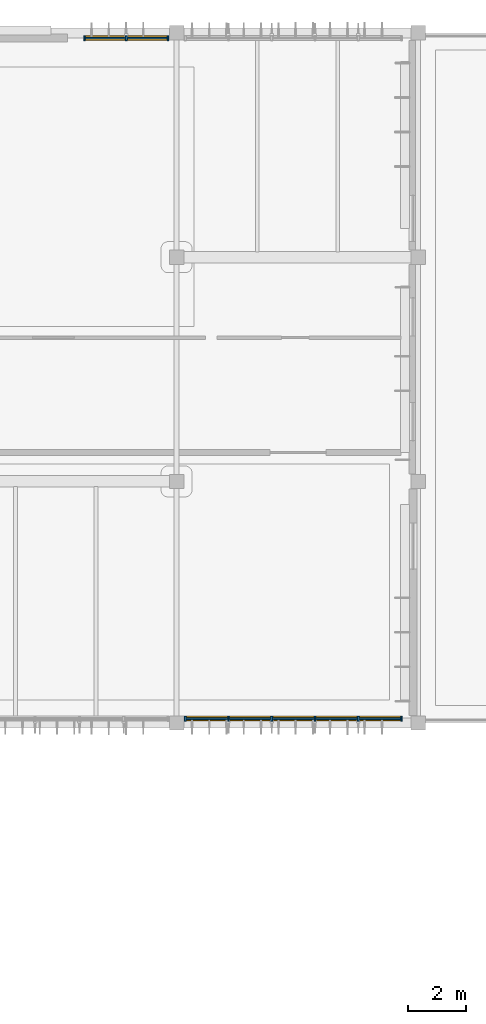
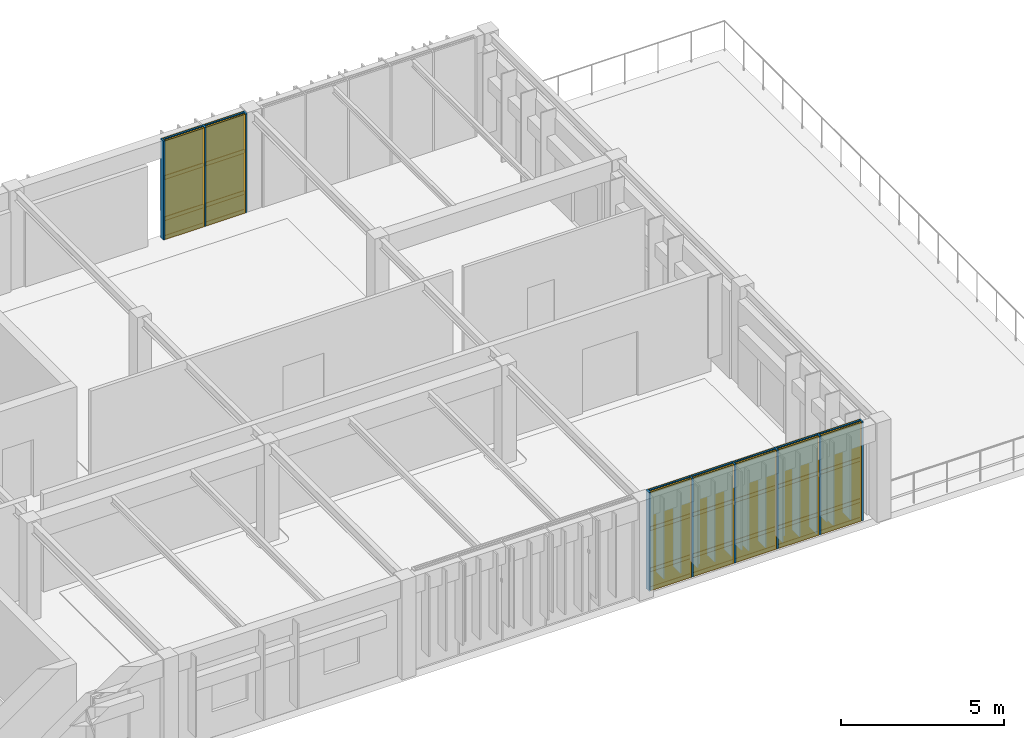
# One storey, part 36 of 44: 37 members, 21 plates, 2 curtain walls.
"""IFC4 building model written with IfcOpenShell, lengths in metres."""

from ifc_helpers import new_model, si_unit, direction, frame, frame_2d, origin, origin_2d, place, context, subcontext, project, spatial, rectangle, extrude, material, layer, layer_set, material_profile, profile_set, type_object, element, aggregate, save


model = new_model("IFC4")

# Units and contexts
model_context = context("Model", 3, precision=1e-05, world=origin(), true_north=direction((0.0, 1.0)))
body_context = subcontext(model_context, "Body", "Model", "MODEL_VIEW")
ifc_project = project(units=[si_unit("LENGTHUNIT", "METRE"), si_unit("AREAUNIT", "SQUARE_METRE"), si_unit("VOLUMEUNIT", "CUBIC_METRE"), si_unit("PLANEANGLEUNIT", "RADIAN"), si_unit("MASSUNIT", "GRAM", prefix="KILO")], contexts=[model_context])

# Member
ifc_material_1 = material(Name="Anodised Bronze Aluminium 6063-T6", Category="aluminium")
ifc_material_profile_1 = material_profile(ifc_material_1, rectangle(XDim=0.06005859375, YDim=0.179931640625, at=origin_2d()), Name="ALU MULLION 60x180")
ifc_profile_set_1 = profile_set([ifc_material_profile_1], Name="Anodised Bronze Aluminium 6063-T6")
member_type_1 = type_object("IfcMemberType", Name="Curtain-Wall Primary Mullion 60x180", PredefinedType="MULLION", material=ifc_profile_set_1)
site_placement = place(None, origin())
building_placement = place(site_placement, origin())
storey_placement = place(building_placement, frame((0.0, 0.0, 13.199951171875)))
member_1_placement = place(storey_placement, frame((130.60009765625, 111.6201171875, 0.0), z_axis=(0.0, 0.0, 1.0), x_axis=(1.0, 0.0, 0.0)))
member_1 = element("IfcMember", 1, at=member_1_placement, type_object=member_type_1, Name="Mullion CWM-01 CW-V3-N3-L03-B1-M01", PredefinedType="MULLION", context=body_context, shape_type="SweptSolid", body=[
    extrude(rectangle(XDim=0.06005859375, YDim=0.179931640625, at=origin_2d()), origin(), (0.0, 0.0, 1.0), 3.699951171875),
])

member_2_placement = place(storey_placement, frame((132.050048828125, 111.6201171875, 0.0), z_axis=(0.0, 0.0, 1.0), x_axis=(1.0, 0.0, 0.0)))
member_2 = element("IfcMember", 2, at=member_2_placement, type_object=member_type_1, Name="Mullion CWM-01 CW-V3-N3-L03-B1-M02", PredefinedType="MULLION", context=body_context, shape_type="SweptSolid", body=[
    extrude(rectangle(XDim=0.06005859375, YDim=0.179931640625, at=origin_2d()), origin(), (0.0, 0.0, 1.0), 3.699951171875),
])

member_3_placement = place(storey_placement, frame((133.5, 111.6201171875, 0.0), z_axis=(0.0, 0.0, 1.0), x_axis=(1.0, 0.0, 0.0)))
member_3 = element("IfcMember", 3, at=member_3_placement, type_object=member_type_1, Name="Mullion CWM-01 CW-V3-N3-L03-B1-M03", PredefinedType="MULLION", context=body_context, shape_type="SweptSolid", body=[
    extrude(rectangle(XDim=0.06005859375, YDim=0.179931640625, at=origin_2d()), origin(), (0.0, 0.0, 1.0), 3.699951171875),
])

member_4_placement = place(storey_placement, frame((134.10009765625, 87.949951171875, 0.0), z_axis=(0.0, 0.0, 1.0), x_axis=(1.0, 0.0, 0.0)))
member_4 = element("IfcMember", 4, at=member_4_placement, type_object=member_type_1, Name="Mullion CWM-01 CW-V3-S2-L03-B2-M01", PredefinedType="MULLION", context=body_context, shape_type="SweptSolid", body=[
    extrude(rectangle(XDim=0.06005859375, YDim=0.179931640625, at=origin_2d()), origin(), (0.0, 0.0, 1.0), 3.699951171875),
])

member_5_placement = place(storey_placement, frame((135.60400390625, 87.949951171875, 0.0), z_axis=(0.0, 0.0, 1.0), x_axis=(1.0, 0.0, 0.0)))
member_5 = element("IfcMember", 5, at=member_5_placement, type_object=member_type_1, Name="Mullion CWM-01 CW-V3-S2-L03-B2-M02", PredefinedType="MULLION", context=body_context, shape_type="SweptSolid", body=[
    extrude(rectangle(XDim=0.06005859375, YDim=0.179931640625, at=origin_2d()), origin(), (0.0, 0.0, 1.0), 3.699951171875),
])

member_6_placement = place(storey_placement, frame((137.10791015625, 87.949951171875, 0.0), z_axis=(0.0, 0.0, 1.0), x_axis=(1.0, 0.0, 0.0)))
member_6 = element("IfcMember", 6, at=member_6_placement, type_object=member_type_1, Name="Mullion CWM-01 CW-V3-S2-L03-B2-M03", PredefinedType="MULLION", context=body_context, shape_type="SweptSolid", body=[
    extrude(rectangle(XDim=0.06005859375, YDim=0.179931640625, at=origin_2d()), origin(), (0.0, 0.0, 1.0), 3.699951171875),
])

member_7_placement = place(storey_placement, frame((138.612060546875, 87.949951171875, 0.0), z_axis=(0.0, 0.0, 1.0), x_axis=(1.0, 0.0, 0.0)))
member_7 = element("IfcMember", 7, at=member_7_placement, type_object=member_type_1, Name="Mullion CWM-01 CW-V3-S2-L03-B2-M04", PredefinedType="MULLION", context=body_context, shape_type="SweptSolid", body=[
    extrude(rectangle(XDim=0.06005859375, YDim=0.179931640625, at=origin_2d()), origin(), (0.0, 0.0, 1.0), 3.699951171875),
])

member_8_placement = place(storey_placement, frame((140.115966796875, 87.949951171875, 0.0), z_axis=(0.0, 0.0, 1.0), x_axis=(1.0, 0.0, 0.0)))
member_8 = element("IfcMember", 8, at=member_8_placement, type_object=member_type_1, Name="Mullion CWM-01 CW-V3-S2-L03-B2-M05", PredefinedType="MULLION", context=body_context, shape_type="SweptSolid", body=[
    extrude(rectangle(XDim=0.06005859375, YDim=0.179931640625, at=origin_2d()), origin(), (0.0, 0.0, 1.0), 3.699951171875),
])

member_9_placement = place(storey_placement, frame((141.6201171875, 87.949951171875, 0.0), z_axis=(0.0, 0.0, 1.0), x_axis=(1.0, 0.0, 0.0)))
member_9 = element("IfcMember", 9, at=member_9_placement, type_object=member_type_1, Name="Mullion CWM-01 CW-V3-S2-L03-B2-M06", PredefinedType="MULLION", context=body_context, shape_type="SweptSolid", body=[
    extrude(rectangle(XDim=0.06005859375, YDim=0.179931640625, at=origin_2d()), origin(), (0.0, 0.0, 1.0), 3.699951171875),
])

ifc_material_profile_2 = material_profile(ifc_material_1, rectangle(XDim=0.06005859375, YDim=0.139892578125, at=origin_2d()), Name="ALU TRANSOM 60x140")
ifc_profile_set_2 = profile_set([ifc_material_profile_2], Name="Anodised Bronze Aluminium 6063-T6")
member_type_2 = type_object("IfcMemberType", Name="Curtain-Wall Transom 60x140", PredefinedType="USERDEFINED", material=ifc_profile_set_2)
member_10_placement = place(storey_placement, frame((130.635009765625, 111.6201171875, 0.0400390625), z_axis=(1.0, 0.0, 0.0), x_axis=(0.0, 1.0, 0.0)))
member_10 = element("IfcMember", 10, at=member_10_placement, type_object=member_type_2, Name="Transom CWT-01 CW-V3-N3-L03-B1-T01.1", ObjectType="TRANSOM", PredefinedType="USERDEFINED", context=body_context, shape_type="SweptSolid", body=[
    extrude(rectangle(XDim=0.06005859375, YDim=0.139892578125, at=origin_2d()), origin(), (0.0, 0.0, 1.0), 1.3798828125),
])

member_11_placement = place(storey_placement, frame((130.635009765625, 111.6201171875, 0.739990234375), z_axis=(1.0, 0.0, 0.0), x_axis=(0.0, 1.0, 0.0)))
member_11 = element("IfcMember", 11, at=member_11_placement, type_object=member_type_2, Name="Transom CWT-01 CW-V3-N3-L03-B1-T01.2", ObjectType="TRANSOM", PredefinedType="USERDEFINED", context=body_context, shape_type="SweptSolid", body=[
    extrude(rectangle(XDim=0.06005859375, YDim=0.139892578125, at=origin_2d()), origin(), (0.0, 0.0, 1.0), 1.3798828125),
])

member_12_placement = place(storey_placement, frame((130.635009765625, 111.6201171875, 2.279296875), z_axis=(1.0, 0.0, 0.0), x_axis=(0.0, 1.0, 0.0)))
member_12 = element("IfcMember", 12, at=member_12_placement, type_object=member_type_2, Name="Transom CWT-01 CW-V3-N3-L03-B1-T01.3", ObjectType="TRANSOM", PredefinedType="USERDEFINED", context=body_context, shape_type="SweptSolid", body=[
    extrude(rectangle(XDim=0.06005859375, YDim=0.139892578125, at=origin_2d()), origin(), (0.0, 0.0, 1.0), 1.3798828125),
])

member_13_placement = place(storey_placement, frame((130.635009765625, 111.6201171875, 3.66015625), z_axis=(1.0, 0.0, 0.0), x_axis=(0.0, 1.0, 0.0)))
member_13 = element("IfcMember", 13, at=member_13_placement, type_object=member_type_2, Name="Transom CWT-01 CW-V3-N3-L03-B1-T01.4", ObjectType="TRANSOM", PredefinedType="USERDEFINED", context=body_context, shape_type="SweptSolid", body=[
    extrude(rectangle(XDim=0.06005859375, YDim=0.139892578125, at=origin_2d()), origin(), (0.0, 0.0, 1.0), 1.3798828125),
])

member_14_placement = place(storey_placement, frame((132.0849609375, 111.6201171875, 0.0400390625), z_axis=(1.0, 0.0, 0.0), x_axis=(0.0, 1.0, 0.0)))
member_14 = element("IfcMember", 14, at=member_14_placement, type_object=member_type_2, Name="Transom CWT-01 CW-V3-N3-L03-B1-T02.1", ObjectType="TRANSOM", PredefinedType="USERDEFINED", context=body_context, shape_type="SweptSolid", body=[
    extrude(rectangle(XDim=0.06005859375, YDim=0.139892578125, at=origin_2d()), origin(), (0.0, 0.0, 1.0), 1.380126953125),
])

member_15_placement = place(storey_placement, frame((132.0849609375, 111.6201171875, 0.739990234375), z_axis=(1.0, 0.0, 0.0), x_axis=(0.0, 1.0, 0.0)))
member_15 = element("IfcMember", 15, at=member_15_placement, type_object=member_type_2, Name="Transom CWT-01 CW-V3-N3-L03-B1-T02.2", ObjectType="TRANSOM", PredefinedType="USERDEFINED", context=body_context, shape_type="SweptSolid", body=[
    extrude(rectangle(XDim=0.06005859375, YDim=0.139892578125, at=origin_2d()), origin(), (0.0, 0.0, 1.0), 1.380126953125),
])

member_16_placement = place(storey_placement, frame((132.0849609375, 111.6201171875, 2.279296875), z_axis=(1.0, 0.0, 0.0), x_axis=(0.0, 1.0, 0.0)))
member_16 = element("IfcMember", 16, at=member_16_placement, type_object=member_type_2, Name="Transom CWT-01 CW-V3-N3-L03-B1-T02.3", ObjectType="TRANSOM", PredefinedType="USERDEFINED", context=body_context, shape_type="SweptSolid", body=[
    extrude(rectangle(XDim=0.06005859375, YDim=0.139892578125, at=origin_2d()), origin(), (0.0, 0.0, 1.0), 1.380126953125),
])

member_17_placement = place(storey_placement, frame((132.0849609375, 111.6201171875, 3.66015625), z_axis=(1.0, 0.0, 0.0), x_axis=(0.0, 1.0, 0.0)))
member_17 = element("IfcMember", 17, at=member_17_placement, type_object=member_type_2, Name="Transom CWT-01 CW-V3-N3-L03-B1-T02.4", ObjectType="TRANSOM", PredefinedType="USERDEFINED", context=body_context, shape_type="SweptSolid", body=[
    extrude(rectangle(XDim=0.06005859375, YDim=0.139892578125, at=origin_2d()), origin(), (0.0, 0.0, 1.0), 1.380126953125),
])

member_18_placement = place(storey_placement, frame((134.135009765625, 87.949951171875, 0.0400390625), z_axis=(1.0, 0.0, 0.0), x_axis=(0.0, 1.0, 0.0)))
member_18 = element("IfcMember", 18, at=member_18_placement, type_object=member_type_2, Name="Transom CWT-01 CW-V3-S2-L03-B2-T01.1", ObjectType="TRANSOM", PredefinedType="USERDEFINED", context=body_context, shape_type="SweptSolid", body=[
    extrude(rectangle(XDim=0.06005859375, YDim=0.139892578125, at=origin_2d()), origin(), (0.0, 0.0, 1.0), 1.43408203125),
])

member_19_placement = place(storey_placement, frame((134.135009765625, 87.949951171875, 0.739990234375), z_axis=(1.0, 0.0, 0.0), x_axis=(0.0, 1.0, 0.0)))
member_19 = element("IfcMember", 19, at=member_19_placement, type_object=member_type_2, Name="Transom CWT-01 CW-V3-S2-L03-B2-T01.2", ObjectType="TRANSOM", PredefinedType="USERDEFINED", context=body_context, shape_type="SweptSolid", body=[
    extrude(rectangle(XDim=0.06005859375, YDim=0.139892578125, at=origin_2d()), origin(), (0.0, 0.0, 1.0), 1.43408203125),
])

member_20_placement = place(storey_placement, frame((134.135009765625, 87.949951171875, 2.279296875), z_axis=(1.0, 0.0, 0.0), x_axis=(0.0, 1.0, 0.0)))
member_20 = element("IfcMember", 20, at=member_20_placement, type_object=member_type_2, Name="Transom CWT-01 CW-V3-S2-L03-B2-T01.3", ObjectType="TRANSOM", PredefinedType="USERDEFINED", context=body_context, shape_type="SweptSolid", body=[
    extrude(rectangle(XDim=0.06005859375, YDim=0.139892578125, at=origin_2d()), origin(), (0.0, 0.0, 1.0), 1.43408203125),
])

member_21_placement = place(storey_placement, frame((134.135009765625, 87.949951171875, 3.66015625), z_axis=(1.0, 0.0, 0.0), x_axis=(0.0, 1.0, 0.0)))
member_21 = element("IfcMember", 21, at=member_21_placement, type_object=member_type_2, Name="Transom CWT-01 CW-V3-S2-L03-B2-T01.4", ObjectType="TRANSOM", PredefinedType="USERDEFINED", context=body_context, shape_type="SweptSolid", body=[
    extrude(rectangle(XDim=0.06005859375, YDim=0.139892578125, at=origin_2d()), origin(), (0.0, 0.0, 1.0), 1.43408203125),
])

member_22_placement = place(storey_placement, frame((135.638916015625, 87.949951171875, 0.0400390625), z_axis=(1.0, 0.0, 0.0), x_axis=(0.0, 1.0, 0.0)))
member_22 = element("IfcMember", 22, at=member_22_placement, type_object=member_type_2, Name="Transom CWT-01 CW-V3-S2-L03-B2-T02.1", ObjectType="TRANSOM", PredefinedType="USERDEFINED", context=body_context, shape_type="SweptSolid", body=[
    extrude(rectangle(XDim=0.06005859375, YDim=0.139892578125, at=origin_2d()), origin(), (0.0, 0.0, 1.0), 1.43408203125),
])

member_23_placement = place(storey_placement, frame((135.638916015625, 87.949951171875, 0.739990234375), z_axis=(1.0, 0.0, 0.0), x_axis=(0.0, 1.0, 0.0)))
member_23 = element("IfcMember", 23, at=member_23_placement, type_object=member_type_2, Name="Transom CWT-01 CW-V3-S2-L03-B2-T02.2", ObjectType="TRANSOM", PredefinedType="USERDEFINED", context=body_context, shape_type="SweptSolid", body=[
    extrude(rectangle(XDim=0.06005859375, YDim=0.139892578125, at=origin_2d()), origin(), (0.0, 0.0, 1.0), 1.43408203125),
])

member_24_placement = place(storey_placement, frame((135.638916015625, 87.949951171875, 2.279296875), z_axis=(1.0, 0.0, 0.0), x_axis=(0.0, 1.0, 0.0)))
member_24 = element("IfcMember", 24, at=member_24_placement, type_object=member_type_2, Name="Transom CWT-01 CW-V3-S2-L03-B2-T02.3", ObjectType="TRANSOM", PredefinedType="USERDEFINED", context=body_context, shape_type="SweptSolid", body=[
    extrude(rectangle(XDim=0.06005859375, YDim=0.139892578125, at=origin_2d()), origin(), (0.0, 0.0, 1.0), 1.43408203125),
])

member_25_placement = place(storey_placement, frame((135.638916015625, 87.949951171875, 3.66015625), z_axis=(1.0, 0.0, 0.0), x_axis=(0.0, 1.0, 0.0)))
member_25 = element("IfcMember", 25, at=member_25_placement, type_object=member_type_2, Name="Transom CWT-01 CW-V3-S2-L03-B2-T02.4", ObjectType="TRANSOM", PredefinedType="USERDEFINED", context=body_context, shape_type="SweptSolid", body=[
    extrude(rectangle(XDim=0.06005859375, YDim=0.139892578125, at=origin_2d()), origin(), (0.0, 0.0, 1.0), 1.43408203125),
])

member_26_placement = place(storey_placement, frame((137.14306640625, 87.949951171875, 0.0400390625), z_axis=(1.0, 0.0, 0.0), x_axis=(0.0, 1.0, 0.0)))
member_26 = element("IfcMember", 26, at=member_26_placement, type_object=member_type_2, Name="Transom CWT-01 CW-V3-S2-L03-B2-T03.1", ObjectType="TRANSOM", PredefinedType="USERDEFINED", context=body_context, shape_type="SweptSolid", body=[
    extrude(rectangle(XDim=0.06005859375, YDim=0.139892578125, at=origin_2d()), origin(), (0.0, 0.0, 1.0), 1.433837890625),
])

member_27_placement = place(storey_placement, frame((137.14306640625, 87.949951171875, 0.739990234375), z_axis=(1.0, 0.0, 0.0), x_axis=(0.0, 1.0, 0.0)))
member_27 = element("IfcMember", 27, at=member_27_placement, type_object=member_type_2, Name="Transom CWT-01 CW-V3-S2-L03-B2-T03.2", ObjectType="TRANSOM", PredefinedType="USERDEFINED", context=body_context, shape_type="SweptSolid", body=[
    extrude(rectangle(XDim=0.06005859375, YDim=0.139892578125, at=origin_2d()), origin(), (0.0, 0.0, 1.0), 1.433837890625),
])

member_28_placement = place(storey_placement, frame((137.14306640625, 87.949951171875, 2.279296875), z_axis=(1.0, 0.0, 0.0), x_axis=(0.0, 1.0, 0.0)))
member_28 = element("IfcMember", 28, at=member_28_placement, type_object=member_type_2, Name="Transom CWT-01 CW-V3-S2-L03-B2-T03.3", ObjectType="TRANSOM", PredefinedType="USERDEFINED", context=body_context, shape_type="SweptSolid", body=[
    extrude(rectangle(XDim=0.06005859375, YDim=0.139892578125, at=origin_2d()), origin(), (0.0, 0.0, 1.0), 1.433837890625),
])

member_29_placement = place(storey_placement, frame((137.14306640625, 87.949951171875, 3.66015625), z_axis=(1.0, 0.0, 0.0), x_axis=(0.0, 1.0, 0.0)))
member_29 = element("IfcMember", 29, at=member_29_placement, type_object=member_type_2, Name="Transom CWT-01 CW-V3-S2-L03-B2-T03.4", ObjectType="TRANSOM", PredefinedType="USERDEFINED", context=body_context, shape_type="SweptSolid", body=[
    extrude(rectangle(XDim=0.06005859375, YDim=0.139892578125, at=origin_2d()), origin(), (0.0, 0.0, 1.0), 1.433837890625),
])

member_30_placement = place(storey_placement, frame((138.64697265625, 87.949951171875, 0.0400390625), z_axis=(1.0, 0.0, 0.0), x_axis=(0.0, 1.0, 0.0)))
member_30 = element("IfcMember", 30, at=member_30_placement, type_object=member_type_2, Name="Transom CWT-01 CW-V3-S2-L03-B2-T04.1", ObjectType="TRANSOM", PredefinedType="USERDEFINED", context=body_context, shape_type="SweptSolid", body=[
    extrude(rectangle(XDim=0.06005859375, YDim=0.139892578125, at=origin_2d()), origin(), (0.0, 0.0, 1.0), 1.43408203125),
])

member_31_placement = place(storey_placement, frame((138.64697265625, 87.949951171875, 0.739990234375), z_axis=(1.0, 0.0, 0.0), x_axis=(0.0, 1.0, 0.0)))
member_31 = element("IfcMember", 31, at=member_31_placement, type_object=member_type_2, Name="Transom CWT-01 CW-V3-S2-L03-B2-T04.2", ObjectType="TRANSOM", PredefinedType="USERDEFINED", context=body_context, shape_type="SweptSolid", body=[
    extrude(rectangle(XDim=0.06005859375, YDim=0.139892578125, at=origin_2d()), origin(), (0.0, 0.0, 1.0), 1.43408203125),
])

member_32_placement = place(storey_placement, frame((138.64697265625, 87.949951171875, 2.279296875), z_axis=(1.0, 0.0, 0.0), x_axis=(0.0, 1.0, 0.0)))
member_32 = element("IfcMember", 32, at=member_32_placement, type_object=member_type_2, Name="Transom CWT-01 CW-V3-S2-L03-B2-T04.3", ObjectType="TRANSOM", PredefinedType="USERDEFINED", context=body_context, shape_type="SweptSolid", body=[
    extrude(rectangle(XDim=0.06005859375, YDim=0.139892578125, at=origin_2d()), origin(), (0.0, 0.0, 1.0), 1.43408203125),
])

member_33_placement = place(storey_placement, frame((138.64697265625, 87.949951171875, 3.66015625), z_axis=(1.0, 0.0, 0.0), x_axis=(0.0, 1.0, 0.0)))
member_33 = element("IfcMember", 33, at=member_33_placement, type_object=member_type_2, Name="Transom CWT-01 CW-V3-S2-L03-B2-T04.4", ObjectType="TRANSOM", PredefinedType="USERDEFINED", context=body_context, shape_type="SweptSolid", body=[
    extrude(rectangle(XDim=0.06005859375, YDim=0.139892578125, at=origin_2d()), origin(), (0.0, 0.0, 1.0), 1.43408203125),
])

member_34_placement = place(storey_placement, frame((140.15087890625, 87.949951171875, 0.0400390625), z_axis=(1.0, 0.0, 0.0), x_axis=(0.0, 1.0, 0.0)))
member_34 = element("IfcMember", 34, at=member_34_placement, type_object=member_type_2, Name="Transom CWT-01 CW-V3-S2-L03-B2-T05.1", ObjectType="TRANSOM", PredefinedType="USERDEFINED", context=body_context, shape_type="SweptSolid", body=[
    extrude(rectangle(XDim=0.06005859375, YDim=0.139892578125, at=origin_2d()), origin(), (0.0, 0.0, 1.0), 1.43408203125),
])

member_35_placement = place(storey_placement, frame((140.15087890625, 87.949951171875, 0.739990234375), z_axis=(1.0, 0.0, 0.0), x_axis=(0.0, 1.0, 0.0)))
member_35 = element("IfcMember", 35, at=member_35_placement, type_object=member_type_2, Name="Transom CWT-01 CW-V3-S2-L03-B2-T05.2", ObjectType="TRANSOM", PredefinedType="USERDEFINED", context=body_context, shape_type="SweptSolid", body=[
    extrude(rectangle(XDim=0.06005859375, YDim=0.139892578125, at=origin_2d()), origin(), (0.0, 0.0, 1.0), 1.43408203125),
])

member_36_placement = place(storey_placement, frame((140.15087890625, 87.949951171875, 2.279296875), z_axis=(1.0, 0.0, 0.0), x_axis=(0.0, 1.0, 0.0)))
member_36 = element("IfcMember", 36, at=member_36_placement, type_object=member_type_2, Name="Transom CWT-01 CW-V3-S2-L03-B2-T05.3", ObjectType="TRANSOM", PredefinedType="USERDEFINED", context=body_context, shape_type="SweptSolid", body=[
    extrude(rectangle(XDim=0.06005859375, YDim=0.139892578125, at=origin_2d()), origin(), (0.0, 0.0, 1.0), 1.43408203125),
])

member_37_placement = place(storey_placement, frame((140.15087890625, 87.949951171875, 3.66015625), z_axis=(1.0, 0.0, 0.0), x_axis=(0.0, 1.0, 0.0)))
member_37 = element("IfcMember", 37, at=member_37_placement, type_object=member_type_2, Name="Transom CWT-01 CW-V3-S2-L03-B2-T05.4", ObjectType="TRANSOM", PredefinedType="USERDEFINED", context=body_context, shape_type="SweptSolid", body=[
    extrude(rectangle(XDim=0.06005859375, YDim=0.139892578125, at=origin_2d()), origin(), (0.0, 0.0, 1.0), 1.43408203125),
])

# Plate
ifc_material_2 = material(Name="Insulated Bronze Aluminium Spandrel Panel", Category="aluminium")
ifc_layer_1 = layer(ifc_material_2, 0.050048828125, Name="Insulated Bronze Aluminium Spandrel Panel")
ifc_layer_set_1 = layer_set([ifc_layer_1], Name="Insulated Bronze Aluminium Spandrel Panel")
plate_type_1 = type_object("IfcPlateType", Name="Insulated Anodised Aluminium Spandrel Cassette 50", PredefinedType="CURTAIN_PANEL", material=ifc_layer_set_1)
plate_1_placement = place(storey_placement, frame((131.324951171875, 111.6201171875, 0.0703125), z_axis=(0.0, 0.0, 1.0), x_axis=(1.0, 0.0, 0.0)))
plate_1 = element("IfcPlate", 38, at=plate_1_placement, type_object=plate_type_1, Name="Curtain Panel CWP-03 CW-V3-N3-L03-B1-P01.1", PredefinedType="CURTAIN_PANEL", context=body_context, shape_type="SweptSolid", body=[
    extrude(rectangle(XDim=1.3798828125, YDim=0.050048828125, at=origin_2d()), origin(), (0.0, 0.0, 1.0), 0.639892578125),
])

plate_2_placement = place(storey_placement, frame((132.77490234375, 111.6201171875, 0.0703125), z_axis=(0.0, 0.0, 1.0), x_axis=(1.0, 0.0, 0.0)))
plate_2 = element("IfcPlate", 39, at=plate_2_placement, type_object=plate_type_1, Name="Curtain Panel CWP-03 CW-V3-N3-L03-B1-P02.1", PredefinedType="CURTAIN_PANEL", context=body_context, shape_type="SweptSolid", body=[
    extrude(rectangle(XDim=1.3798828125, YDim=0.050048828125, at=origin_2d()), origin(), (0.0, 0.0, 1.0), 0.639892578125),
])

plate_3_placement = place(storey_placement, frame((134.85205078125, 87.949951171875, 0.0703125), z_axis=(0.0, 0.0, 1.0), x_axis=(1.0, 0.0, 0.0)))
plate_3 = element("IfcPlate", 40, at=plate_3_placement, type_object=plate_type_1, Name="Curtain Panel CWP-03 CW-V3-S2-L03-B2-P01.1", PredefinedType="CURTAIN_PANEL", context=body_context, shape_type="SweptSolid", body=[
    extrude(rectangle(XDim=1.43408203125, YDim=0.050048828125, at=origin_2d()), origin(), (0.0, 0.0, 1.0), 0.639892578125),
])

plate_4_placement = place(storey_placement, frame((136.35595703125, 87.949951171875, 0.0703125), z_axis=(0.0, 0.0, 1.0), x_axis=(1.0, 0.0, 0.0)))
plate_4 = element("IfcPlate", 41, at=plate_4_placement, type_object=plate_type_1, Name="Curtain Panel CWP-03 CW-V3-S2-L03-B2-P02.1", PredefinedType="CURTAIN_PANEL", context=body_context, shape_type="SweptSolid", body=[
    extrude(rectangle(XDim=1.43408203125, YDim=0.050048828125, at=origin_2d()), origin(), (0.0, 0.0, 1.0), 0.639892578125),
])

plate_5_placement = place(storey_placement, frame((137.860107421875, 87.949951171875, 0.0703125), z_axis=(0.0, 0.0, 1.0), x_axis=(1.0, 0.0, 0.0)))
plate_5 = element("IfcPlate", 42, at=plate_5_placement, type_object=plate_type_1, Name="Curtain Panel CWP-03 CW-V3-S2-L03-B2-P03.1", PredefinedType="CURTAIN_PANEL", context=body_context, shape_type="SweptSolid", body=[
    extrude(rectangle(XDim=1.43408203125, YDim=0.050048828125, at=origin_2d()), origin(), (0.0, 0.0, 1.0), 0.639892578125),
])

plate_6_placement = place(storey_placement, frame((139.364013671875, 87.949951171875, 0.0703125), z_axis=(0.0, 0.0, 1.0), x_axis=(1.0, 0.0, 0.0)))
plate_6 = element("IfcPlate", 43, at=plate_6_placement, type_object=plate_type_1, Name="Curtain Panel CWP-03 CW-V3-S2-L03-B2-P04.1", PredefinedType="CURTAIN_PANEL", context=body_context, shape_type="SweptSolid", body=[
    extrude(rectangle(XDim=1.43408203125, YDim=0.050048828125, at=origin_2d()), origin(), (0.0, 0.0, 1.0), 0.639892578125),
])

plate_7_placement = place(storey_placement, frame((140.867919921875, 87.949951171875, 0.0703125), z_axis=(0.0, 0.0, 1.0), x_axis=(1.0, 0.0, 0.0)))
plate_7 = element("IfcPlate", 44, at=plate_7_placement, type_object=plate_type_1, Name="Curtain Panel CWP-03 CW-V3-S2-L03-B2-P05.1", PredefinedType="CURTAIN_PANEL", context=body_context, shape_type="SweptSolid", body=[
    extrude(rectangle(XDim=1.43408203125, YDim=0.050048828125, at=origin_2d()), origin(), (0.0, 0.0, 1.0), 0.639892578125),
])

ifc_material_3 = material(Name="Solar-Control Tempered Double Glazing", Category="glass")
ifc_layer_2 = layer(ifc_material_3, 0.0380859375, Name="Solar-Control Tempered Double Glazing")
ifc_layer_set_2 = layer_set([ifc_layer_2], Name="Solar-Control Tempered Double Glazing")
plate_type_2 = type_object("IfcPlateType", Name="Solar-Control Vision Glazing Unit 38", PredefinedType="CURTAIN_PANEL", material=ifc_layer_set_2)
plate_8_placement = place(storey_placement, frame((131.324951171875, 111.6201171875, 0.77001953125), z_axis=(0.0, 0.0, 1.0), x_axis=(1.0, 0.0, 0.0)))
plate_8 = element("IfcPlate", 45, at=plate_8_placement, type_object=plate_type_2, Name="Curtain Panel CWP-02 CW-V3-N3-L03-B1-P01.2", PredefinedType="CURTAIN_PANEL", context=body_context, shape_type="SweptSolid", body=[
    extrude(rectangle(XDim=1.3798828125, YDim=0.0380859375, at=origin_2d()), origin(), (0.0, 0.0, 1.0), 1.479248046875),
])

plate_9_placement = place(storey_placement, frame((131.324951171875, 111.6201171875, 2.309326171875), z_axis=(0.0, 0.0, 1.0), x_axis=(1.0, 0.0, 0.0)))
plate_9 = element("IfcPlate", 46, at=plate_9_placement, type_object=plate_type_2, Name="Curtain Panel CWP-02 CW-V3-N3-L03-B1-P01.3", PredefinedType="CURTAIN_PANEL", context=body_context, shape_type="SweptSolid", body=[
    extrude(rectangle(XDim=1.3798828125, YDim=0.0380859375, at=origin_2d()), origin(), (0.0, 0.0, 1.0), 1.32080078125),
])

plate_10_placement = place(storey_placement, frame((132.77490234375, 111.6201171875, 0.77001953125), z_axis=(0.0, 0.0, 1.0), x_axis=(1.0, 0.0, 0.0)))
plate_10 = element("IfcPlate", 47, at=plate_10_placement, type_object=plate_type_2, Name="Curtain Panel CWP-02 CW-V3-N3-L03-B1-P02.2", PredefinedType="CURTAIN_PANEL", context=body_context, shape_type="SweptSolid", body=[
    extrude(rectangle(XDim=1.3798828125, YDim=0.0380859375, at=origin_2d()), origin(), (0.0, 0.0, 1.0), 1.479248046875),
])

plate_11_placement = place(storey_placement, frame((132.77490234375, 111.6201171875, 2.309326171875), z_axis=(0.0, 0.0, 1.0), x_axis=(1.0, 0.0, 0.0)))
plate_11 = element("IfcPlate", 48, at=plate_11_placement, type_object=plate_type_2, Name="Curtain Panel CWP-02 CW-V3-N3-L03-B1-P02.3", PredefinedType="CURTAIN_PANEL", context=body_context, shape_type="SweptSolid", body=[
    extrude(rectangle(XDim=1.3798828125, YDim=0.0380859375, at=origin_2d()), origin(), (0.0, 0.0, 1.0), 1.32080078125),
])

plate_12_placement = place(storey_placement, frame((134.85205078125, 87.949951171875, 0.77001953125), z_axis=(0.0, 0.0, 1.0), x_axis=(1.0, 0.0, 0.0)))
plate_12 = element("IfcPlate", 49, at=plate_12_placement, type_object=plate_type_2, Name="Curtain Panel CWP-02 CW-V3-S2-L03-B2-P01.2", PredefinedType="CURTAIN_PANEL", context=body_context, shape_type="SweptSolid", body=[
    extrude(rectangle(XDim=1.43408203125, YDim=0.0380859375, at=origin_2d()), origin(), (0.0, 0.0, 1.0), 1.479248046875),
])

plate_13_placement = place(storey_placement, frame((134.85205078125, 87.949951171875, 2.309326171875), z_axis=(0.0, 0.0, 1.0), x_axis=(1.0, 0.0, 0.0)))
plate_13 = element("IfcPlate", 50, at=plate_13_placement, type_object=plate_type_2, Name="Curtain Panel CWP-02 CW-V3-S2-L03-B2-P01.3", PredefinedType="CURTAIN_PANEL", context=body_context, shape_type="SweptSolid", body=[
    extrude(rectangle(XDim=1.43408203125, YDim=0.0380859375, at=origin_2d()), origin(), (0.0, 0.0, 1.0), 1.32080078125),
])

plate_14_placement = place(storey_placement, frame((136.35595703125, 87.949951171875, 0.77001953125), z_axis=(0.0, 0.0, 1.0), x_axis=(1.0, 0.0, 0.0)))
plate_14 = element("IfcPlate", 51, at=plate_14_placement, type_object=plate_type_2, Name="Curtain Panel CWP-02 CW-V3-S2-L03-B2-P02.2", PredefinedType="CURTAIN_PANEL", context=body_context, shape_type="SweptSolid", body=[
    extrude(rectangle(XDim=1.43408203125, YDim=0.0380859375, at=origin_2d()), origin(), (0.0, 0.0, 1.0), 1.479248046875),
])

plate_15_placement = place(storey_placement, frame((136.35595703125, 87.949951171875, 2.309326171875), z_axis=(0.0, 0.0, 1.0), x_axis=(1.0, 0.0, 0.0)))
plate_15 = element("IfcPlate", 52, at=plate_15_placement, type_object=plate_type_2, Name="Curtain Panel CWP-02 CW-V3-S2-L03-B2-P02.3", PredefinedType="CURTAIN_PANEL", context=body_context, shape_type="SweptSolid", body=[
    extrude(rectangle(XDim=1.43408203125, YDim=0.0380859375, at=origin_2d()), origin(), (0.0, 0.0, 1.0), 1.32080078125),
])

plate_16_placement = place(storey_placement, frame((137.860107421875, 87.949951171875, 0.77001953125), z_axis=(0.0, 0.0, 1.0), x_axis=(1.0, 0.0, 0.0)))
plate_16 = element("IfcPlate", 53, at=plate_16_placement, type_object=plate_type_2, Name="Curtain Panel CWP-02 CW-V3-S2-L03-B2-P03.2", PredefinedType="CURTAIN_PANEL", context=body_context, shape_type="SweptSolid", body=[
    extrude(rectangle(XDim=1.43408203125, YDim=0.0380859375, at=origin_2d()), origin(), (0.0, 0.0, 1.0), 1.479248046875),
])

plate_17_placement = place(storey_placement, frame((137.860107421875, 87.949951171875, 2.309326171875), z_axis=(0.0, 0.0, 1.0), x_axis=(1.0, 0.0, 0.0)))
plate_17 = element("IfcPlate", 54, at=plate_17_placement, type_object=plate_type_2, Name="Curtain Panel CWP-02 CW-V3-S2-L03-B2-P03.3", PredefinedType="CURTAIN_PANEL", context=body_context, shape_type="SweptSolid", body=[
    extrude(rectangle(XDim=1.43408203125, YDim=0.0380859375, at=origin_2d()), origin(), (0.0, 0.0, 1.0), 1.32080078125),
])

plate_18_placement = place(storey_placement, frame((139.364013671875, 87.949951171875, 0.77001953125), z_axis=(0.0, 0.0, 1.0), x_axis=(1.0, 0.0, 0.0)))
plate_18 = element("IfcPlate", 55, at=plate_18_placement, type_object=plate_type_2, Name="Curtain Panel CWP-02 CW-V3-S2-L03-B2-P04.2", PredefinedType="CURTAIN_PANEL", context=body_context, shape_type="SweptSolid", body=[
    extrude(rectangle(XDim=1.43408203125, YDim=0.0380859375, at=origin_2d()), origin(), (0.0, 0.0, 1.0), 1.479248046875),
])

plate_19_placement = place(storey_placement, frame((139.364013671875, 87.949951171875, 2.309326171875), z_axis=(0.0, 0.0, 1.0), x_axis=(1.0, 0.0, 0.0)))
plate_19 = element("IfcPlate", 56, at=plate_19_placement, type_object=plate_type_2, Name="Curtain Panel CWP-02 CW-V3-S2-L03-B2-P04.3", PredefinedType="CURTAIN_PANEL", context=body_context, shape_type="SweptSolid", body=[
    extrude(rectangle(XDim=1.43408203125, YDim=0.0380859375, at=origin_2d()), origin(), (0.0, 0.0, 1.0), 1.32080078125),
])

plate_20_placement = place(storey_placement, frame((140.867919921875, 87.949951171875, 0.77001953125), z_axis=(0.0, 0.0, 1.0), x_axis=(1.0, 0.0, 0.0)))
plate_20 = element("IfcPlate", 57, at=plate_20_placement, type_object=plate_type_2, Name="Curtain Panel CWP-02 CW-V3-S2-L03-B2-P05.2", PredefinedType="CURTAIN_PANEL", context=body_context, shape_type="SweptSolid", body=[
    extrude(rectangle(XDim=1.43408203125, YDim=0.0380859375, at=origin_2d()), origin(), (0.0, 0.0, 1.0), 1.479248046875),
])

plate_21_placement = place(storey_placement, frame((140.867919921875, 87.949951171875, 2.309326171875), z_axis=(0.0, 0.0, 1.0), x_axis=(1.0, 0.0, 0.0)))
plate_21 = element("IfcPlate", 58, at=plate_21_placement, type_object=plate_type_2, Name="Curtain Panel CWP-02 CW-V3-S2-L03-B2-P05.3", PredefinedType="CURTAIN_PANEL", context=body_context, shape_type="SweptSolid", body=[
    extrude(rectangle(XDim=1.43408203125, YDim=0.0380859375, at=origin_2d()), origin(), (0.0, 0.0, 1.0), 1.32080078125),
])

# Site, building, storey
site = spatial("IfcSite", under=ifc_project, at=site_placement, CompositionType="ELEMENT")
building = spatial("IfcBuilding", under=site, at=building_placement, Name="Tazoul Stagehouse", CompositionType="ELEMENT")
storey = spatial("IfcBuildingStorey", under=building, at=storey_placement, Name="L03", CompositionType="ELEMENT", Elevation=13.199951171875)

# Curtain wall
curtain_wall_type = type_object("IfcCurtainWallType", Name="Rehearsal North Daylight Curtain Wall", PredefinedType="NOTDEFINED", material=ifc_material_1)
curtain_wall_1_placement = place(storey_placement, frame((130.60009765625, 111.6201171875, 0.0), z_axis=(0.0, 0.0, 1.0), x_axis=(1.0, 0.0, 0.0)))
curtain_wall_1 = element("IfcCurtainWall", 59, at=curtain_wall_1_placement, inside=storey, type_object=curtain_wall_type, Name="L03 Curtain Wall CW-04 (CW-V3-N3-L03-B1)", PredefinedType="NOTDEFINED", context=body_context, shape_type="SweptSolid", body=[
    extrude(rectangle(XDim=2.89990234375, YDim=0.179931640625, at=frame_2d((1.449951171875, 0.0))), origin(), (0.0, 0.0, 1.0), 3.699951171875),
])

aggregate(curtain_wall_1, [member_1, member_2, member_3, member_10, member_11, member_12, member_13, plate_1, plate_8, plate_9, member_14, member_15, member_16, member_17, plate_2, plate_10, plate_11])

curtain_wall_2_placement = place(storey_placement, frame((134.10009765625, 87.949951171875, 0.0), z_axis=(0.0, 0.0, 1.0), x_axis=(1.0, 0.0, 0.0)))
curtain_wall_2 = element("IfcCurtainWall", 60, at=curtain_wall_2_placement, inside=storey, type_object=curtain_wall_type, Name="L03 Curtain Wall CW-04 (CW-V3-S2-L03-B2)", PredefinedType="NOTDEFINED", context=body_context, shape_type="SweptSolid", body=[
    extrude(rectangle(XDim=7.52001953125, YDim=0.179931640625, at=frame_2d((3.760009765625, 0.0))), origin(), (0.0, 0.0, 1.0), 3.699951171875),
])

aggregate(curtain_wall_2, [member_4, member_5, member_6, member_7, member_8, member_9, member_18, member_19, member_20, member_21, plate_3, plate_12, plate_13, member_22, member_23, member_24, member_25, plate_4, plate_14, plate_15, member_26, member_27, member_28, member_29, plate_5, plate_16, plate_17, member_30, member_31, member_32, member_33, plate_6, plate_18, plate_19, member_34, member_35, member_36, member_37, plate_7, plate_20, plate_21])

save(model, "model.ifc")
